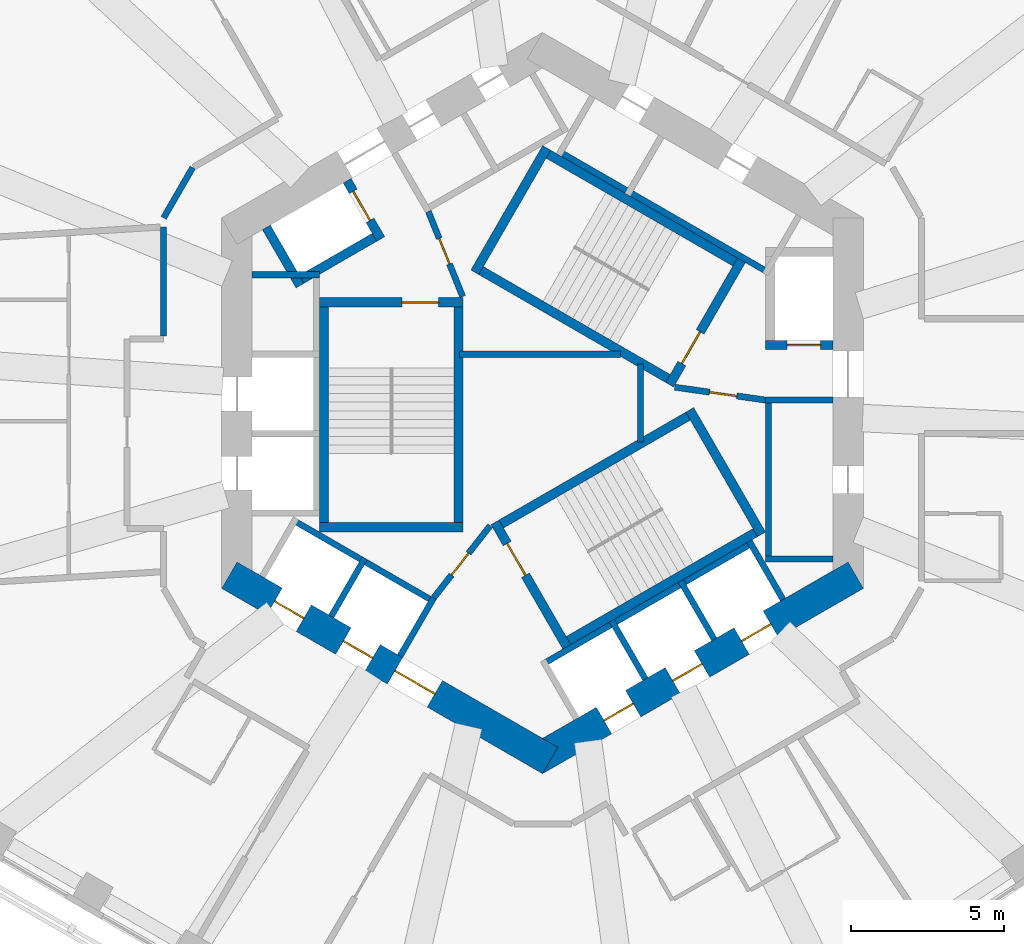
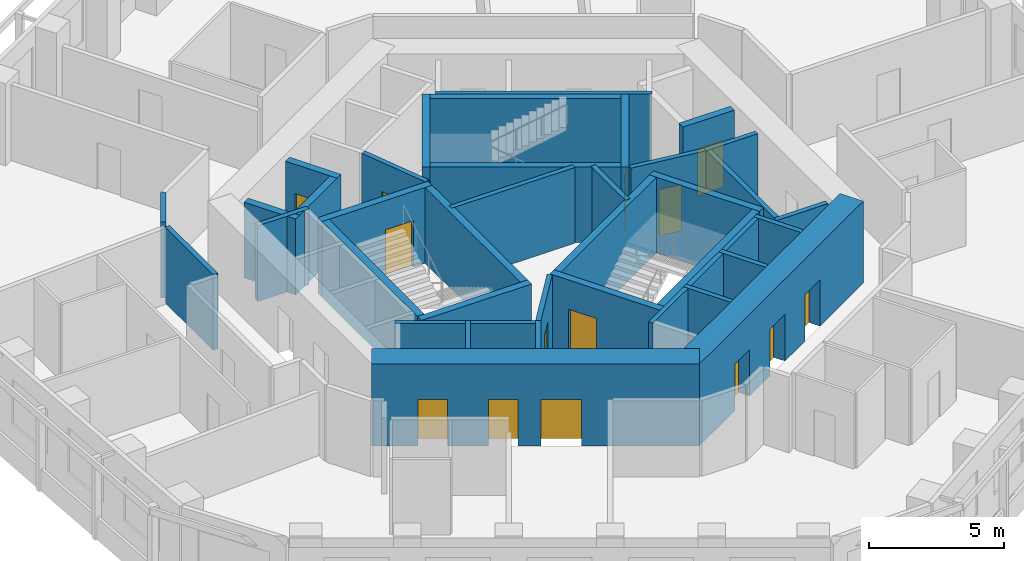
# One storey, part 5 of 11: 37 walls, 14 doors, 14 openings.
"""IFC4 building model written with IfcOpenShell, lengths in metres."""

from ifc_helpers import new_model, si_unit, direction, frame, frame_2d, origin, place, context, subcontext, project, spatial, rectangle, extrude, material, layer, layer_set, type_object, element, fill, save


model = new_model("IFC4")

# Units and contexts
model_context = context("Model", 3, precision=1e-05, world=origin(), true_north=direction((0.0, 1.0)))
body_context = subcontext(model_context, "Body", "Model", "MODEL_VIEW")
ifc_project = project(units=[si_unit("LENGTHUNIT", "METRE"), si_unit("AREAUNIT", "SQUARE_METRE"), si_unit("VOLUMEUNIT", "CUBIC_METRE"), si_unit("PLANEANGLEUNIT", "RADIAN"), si_unit("MASSUNIT", "GRAM", prefix="KILO")], contexts=[model_context])

# Site, building, storey
site_placement = place(None, origin())
site = spatial("IfcSite", under=ifc_project, at=site_placement, CompositionType="ELEMENT")
building_placement = place(site_placement, origin())
building = spatial("IfcBuilding", under=site, at=building_placement, Name="Vanh Sen Convention Tower", CompositionType="ELEMENT")
storey_placement = place(building_placement, frame((0.0, 0.0, 154.0)))
storey = spatial("IfcBuildingStorey", under=building, at=storey_placement, Name="L37", CompositionType="ELEMENT", Elevation=154.0)

# Wall, openings, doors
ifc_material_1 = material(Name="Concrete C80/95", Category="concrete")
ifc_layer_1 = layer(ifc_material_1, 1.0)
ifc_layer_set_1 = layer_set([ifc_layer_1], Name="Concrete C80/95")
wall_type_1 = type_object("IfcWallType", Name="Core outer wall 1000 C80/95", PredefinedType="SHEAR", material=ifc_layer_set_1)
wall_1_placement = place(storey_placement, frame((-10.25, -5.629150390625, 0.0), z_axis=(0.0, 0.0, 1.0), x_axis=(0.866022616891, -0.50000482701, 0.0)))
wall_1 = element("IfcWall", 1, at=wall_1_placement, inside=storey, type_object=wall_type_1, Name="Core wall face SW L37", PredefinedType="SHEAR", context=body_context, shape_type="SweptSolid", body=[
    extrude(rectangle(XDim=12.12451171875, YDim=1.0, at=frame_2d((6.062255859375, 0.0))), origin(), (0.0, 0.0, 1.0), 3.699951171875),
])
opening_1_placement = place(wall_1_placement, frame((6.26220703125, 0.0, 0.0)))
opening_1 = element("IfcOpeningElement", 2, at=opening_1_placement, cuts=wall_1, Name="Opening D35003", PredefinedType="OPENING", context=body_context, shape_type="SweptSolid", body=[
    extrude(rectangle(XDim=1.5, YDim=2.10009765625, at=frame_2d((0.75, 1.050048828125))), frame((0.0, 0.510009765625, 0.0), z_axis=(0.0, -1.0, 0.0), x_axis=(1.0, 0.0, 0.0)), (0.0, 0.0, 1.0), 1.02001953125),
])
opening_2_placement = place(wall_1_placement, frame((1.712158203125, 0.0, 0.0)))
opening_2 = element("IfcOpeningElement", 3, at=opening_2_placement, cuts=wall_1, Name="Opening LD-HR3", PredefinedType="OPENING", context=body_context, shape_type="SweptSolid", body=[
    extrude(rectangle(XDim=1.10009765625, YDim=2.10009765625, at=frame_2d((0.550048828125, 1.050048828125))), frame((0.0, 0.510009765625, 0.0), z_axis=(0.0, -1.0, 0.0), x_axis=(1.0, 0.0, 0.0)), (0.0, 0.0, 1.0), 1.02001953125),
])
opening_3_placement = place(wall_1_placement, frame((4.312255859375, 0.0, 0.0)))
opening_3 = element("IfcOpeningElement", 4, at=opening_3_placement, cuts=wall_1, Name="Opening LD-HR4", PredefinedType="OPENING", context=body_context, shape_type="SweptSolid", body=[
    extrude(rectangle(XDim=1.10009765625, YDim=2.10009765625, at=frame_2d((0.550048828125, 1.050048828125))), frame((0.0, 0.510009765625, 0.0), z_axis=(0.0, -1.0, 0.0), x_axis=(1.0, 0.0, 0.0)), (0.0, 0.0, 1.0), 1.02001953125),
])
ifc_material_2 = material(Name="Stainless steel", Category="steel")
door_type_1 = type_object("IfcDoorType", Name="Lift landing door 1100", OperationType="DOUBLE_DOOR_SLIDING", PredefinedType="DOOR", material=ifc_material_2)
door_1_placement = place(opening_2_placement, origin())
door_1 = element("IfcDoor", 5, at=door_1_placement, inside=storey, type_object=door_type_1, Name="Lift HR3 landing door LD-HR3", OperationType="DOUBLE_DOOR_SLIDING", OverallHeight=2.10009765625, OverallWidth=1.10009765625, PredefinedType="DOOR", context=body_context, shape_type="SweptSolid", body=[
    extrude(rectangle(XDim=1.10009765625, YDim=2.10009765625, at=frame_2d((0.550048828125, 1.050048828125))), frame((0.0, 0.02490234375, 0.0), z_axis=(0.0, -1.0, 0.0), x_axis=(1.0, 0.0, 0.0)), (0.0, 0.0, 1.0), 0.050048828125),
])
fill(opening_2, door_1)
door_2_placement = place(opening_3_placement, origin())
door_2 = element("IfcDoor", 6, at=door_2_placement, inside=storey, type_object=door_type_1, Name="Lift HR4 landing door LD-HR4", OperationType="DOUBLE_DOOR_SLIDING", OverallHeight=2.10009765625, OverallWidth=1.10009765625, PredefinedType="DOOR", context=body_context, shape_type="SweptSolid", body=[
    extrude(rectangle(XDim=1.10009765625, YDim=2.10009765625, at=frame_2d((0.550048828125, 1.050048828125))), frame((0.0, 0.02490234375, 0.0), z_axis=(0.0, -1.0, 0.0), x_axis=(1.0, 0.0, 0.0)), (0.0, 0.0, 1.0), 0.050048828125),
])
fill(opening_3, door_2)
ifc_material_3 = material(Name="Steel S355", Category="steel")
door_type_2 = type_object("IfcDoorType", Name="Stair lobby door 1500", OperationType="DOUBLE_DOOR_SINGLE_SWING", PredefinedType="DOOR", material=ifc_material_3)
door_3_placement = place(opening_1_placement, origin())
door_3 = element("IfcDoor", 7, at=door_3_placement, inside=storey, type_object=door_type_2, Name="Stair lobby door D35003", OperationType="DOUBLE_DOOR_SINGLE_SWING", OverallHeight=2.10009765625, OverallWidth=1.5, PredefinedType="DOOR", context=body_context, shape_type="SweptSolid", body=[
    extrude(rectangle(XDim=1.5, YDim=2.10009765625, at=frame_2d((0.75, 1.050048828125))), frame((0.0, 0.02490234375, 0.0), z_axis=(0.0, -1.0, 0.0), x_axis=(1.0, 0.0, 0.0)), (0.0, 0.0, 1.0), 0.050048828125),
])
fill(opening_1, door_3)

wall_2_placement = place(storey_placement, frame((-0.25, -11.69140625, 0.0), z_axis=(0.0, 0.0, 1.0), x_axis=(0.866022616891, 0.50000482701, 0.0)))
wall_2 = element("IfcWall", 8, at=wall_2_placement, inside=storey, type_object=wall_type_1, Name="Core wall face SE L37", PredefinedType="SHEAR", context=body_context, shape_type="SweptSolid", body=[
    extrude(rectangle(XDim=12.12451171875, YDim=1.0, at=frame_2d((6.062255859375, 0.0))), origin(), (0.0, 0.0, 1.0), 3.699951171875),
])
opening_4_placement = place(wall_2_placement, frame((2.6123046875, 0.0, 0.0)))
opening_4 = element("IfcOpeningElement", 9, at=opening_4_placement, cuts=wall_2, Name="Opening LD-HR5", PredefinedType="OPENING", context=body_context, shape_type="SweptSolid", body=[
    extrude(rectangle(XDim=1.10009765625, YDim=2.10009765625, at=frame_2d((0.550048828125, 1.050048828125))), frame((0.0, 0.510009765625, 0.0), z_axis=(0.0, -1.0, 0.0), x_axis=(1.0, 0.0, 0.0)), (0.0, 0.0, 1.0), 1.02001953125),
])
opening_5_placement = place(wall_2_placement, frame((5.212158203125, 0.0, 0.0)))
opening_5 = element("IfcOpeningElement", 10, at=opening_5_placement, cuts=wall_2, Name="Opening LD-HR6", PredefinedType="OPENING", context=body_context, shape_type="SweptSolid", body=[
    extrude(rectangle(XDim=1.10009765625, YDim=2.10009765625, at=frame_2d((0.550048828125, 1.050048828125))), frame((0.0, 0.510009765625, 0.0), z_axis=(0.0, -1.0, 0.0), x_axis=(1.0, 0.0, 0.0)), (0.0, 0.0, 1.0), 1.02001953125),
])
opening_6_placement = place(wall_2_placement, frame((7.812255859375, 0.0, 0.0)))
opening_6 = element("IfcOpeningElement", 11, at=opening_6_placement, cuts=wall_2, Name="Opening LD-SV1", PredefinedType="OPENING", context=body_context, shape_type="SweptSolid", body=[
    extrude(rectangle(XDim=1.10009765625, YDim=2.10009765625, at=frame_2d((0.550048828125, 1.050048828125))), frame((0.0, 0.510009765625, 0.0), z_axis=(0.0, -1.0, 0.0), x_axis=(1.0, 0.0, 0.0)), (0.0, 0.0, 1.0), 1.02001953125),
])
door_4_placement = place(opening_4_placement, origin())
door_4 = element("IfcDoor", 12, at=door_4_placement, inside=storey, type_object=door_type_1, Name="Lift HR5 landing door LD-HR5", OperationType="DOUBLE_DOOR_SLIDING", OverallHeight=2.10009765625, OverallWidth=1.10009765625, PredefinedType="DOOR", context=body_context, shape_type="SweptSolid", body=[
    extrude(rectangle(XDim=1.10009765625, YDim=2.10009765625, at=frame_2d((0.550048828125, 1.050048828125))), frame((0.0, 0.02490234375, 0.0), z_axis=(0.0, -1.0, 0.0), x_axis=(1.0, 0.0, 0.0)), (0.0, 0.0, 1.0), 0.050048828125),
])
fill(opening_4, door_4)
door_5_placement = place(opening_5_placement, origin())
door_5 = element("IfcDoor", 13, at=door_5_placement, inside=storey, type_object=door_type_1, Name="Lift HR6 landing door LD-HR6", OperationType="DOUBLE_DOOR_SLIDING", OverallHeight=2.10009765625, OverallWidth=1.10009765625, PredefinedType="DOOR", context=body_context, shape_type="SweptSolid", body=[
    extrude(rectangle(XDim=1.10009765625, YDim=2.10009765625, at=frame_2d((0.550048828125, 1.050048828125))), frame((0.0, 0.02490234375, 0.0), z_axis=(0.0, -1.0, 0.0), x_axis=(1.0, 0.0, 0.0)), (0.0, 0.0, 1.0), 0.050048828125),
])
fill(opening_5, door_5)
door_6_placement = place(opening_6_placement, origin())
door_6 = element("IfcDoor", 14, at=door_6_placement, inside=storey, type_object=door_type_1, Name="Lift SV1 landing door LD-SV1", OperationType="DOUBLE_DOOR_SLIDING", OverallHeight=2.10009765625, OverallWidth=1.10009765625, PredefinedType="DOOR", context=body_context, shape_type="SweptSolid", body=[
    extrude(rectangle(XDim=1.10009765625, YDim=2.10009765625, at=frame_2d((0.550048828125, 1.050048828125))), frame((0.0, 0.02490234375, 0.0), z_axis=(0.0, -1.0, 0.0), x_axis=(1.0, 0.0, 0.0)), (0.0, 0.0, 1.0), 0.050048828125),
])
fill(opening_6, door_6)

# Walls
ifc_material_4 = material(Name="Masonry blockwork", Category="masonry")
ifc_layer_2 = layer(ifc_material_4, 0.199951171875)
ifc_layer_set_2 = layer_set([ifc_layer_2], Name="Masonry blockwork")
wall_type_2 = type_object("IfcWallType", Name="Core partition 200", PredefinedType="PARTITIONING", material=ifc_layer_set_2)
wall_3_placement = place(storey_placement, frame((-2.719970703125, 1.60009765625, 0.0), z_axis=(0.0, 0.0, 1.0), x_axis=(1.0, 0.0, 0.0)))
element("IfcWall", 15, at=wall_3_placement, inside=storey, type_object=wall_type_2, Name="Core partition L37", PredefinedType="PARTITIONING", context=body_context, shape_type="SweptSolid", body=[
    extrude(rectangle(XDim=5.2685546875, YDim=0.199951171875, at=frame_2d((2.63427734375, 0.0))), origin(), (0.0, 0.0, 1.0), 3.419921875),
])
wall_4_placement = place(storey_placement, frame((3.199951171875, -1.274658203125, 0.0), z_axis=(0.0, 0.0, 1.0), x_axis=(0.0, 1.0, 0.0)))
element("IfcWall", 16, at=wall_4_placement, inside=storey, type_object=wall_type_2, Name="Core partition L37", PredefinedType="PARTITIONING", context=body_context, shape_type="SweptSolid", body=[
    extrude(rectangle(XDim=2.54931640625, YDim=0.199951171875, at=frame_2d((1.274658203125, 0.0))), origin(), (0.0, 0.0, 1.0), 3.419921875),
])
ifc_material_5 = material(Name="Gypsum board on steel studs with mineral wool", Category="steel")
ifc_layer_3 = layer(ifc_material_5, 0.199951171875)
ifc_layer_set_3 = layer_set([ifc_layer_3], Name="Gypsum board on steel studs with mineral wool")
wall_type_3 = type_object("IfcWallType", Name="Corridor partition wall 200", PredefinedType="PARTITIONING", material=ifc_layer_set_3)
wall_5_placement = place(storey_placement, frame((-12.39990234375, 5.769287109375, 0.0), z_axis=(0.0, 0.0, 1.0), x_axis=(0.0, -1.0, 0.0)))
element("IfcWall", 17, at=wall_5_placement, inside=storey, type_object=wall_type_3, Name="Corridor partition wall 200", PredefinedType="PARTITIONING", context=body_context, shape_type="SweptSolid", body=[
    extrude(rectangle(XDim=3.568359375, YDim=0.199951171875, at=frame_2d((1.7841796875, 0.0))), origin(), (0.0, 0.0, 1.0), 3.419921875),
])
wall_6_placement = place(storey_placement, frame((-11.449951171875, 7.70751953125, 0.0), z_axis=(0.0, 0.0, 1.0), x_axis=(-0.500022797313, -0.86601224135, 0.0)))
element("IfcWall", 18, at=wall_6_placement, inside=storey, type_object=wall_type_3, Name="Corridor partition wall 200", PredefinedType="PARTITIONING", context=body_context, shape_type="SweptSolid", body=[
    extrude(rectangle(XDim=1.89990234375, YDim=0.199951171875, at=frame_2d((0.949951171875, 0.0))), origin(), (0.0, 0.0, 1.0), 3.419921875),
])

# Wall, opening, door
ifc_material_6 = material(Name="Concrete C60/75", Category="concrete")
ifc_layer_4 = layer(ifc_material_6, 0.300048828125)
ifc_layer_set_4 = layer_set([ifc_layer_4], Name="Concrete C60/75")
wall_type_4 = type_object("IfcWallType", Name="Fire-fighting lift shaft wall 300", PredefinedType="SHEAR", material=ifc_layer_set_4)
wall_7_placement = place(storey_placement, frame((7.300048828125, 1.89990234375, 0.0), z_axis=(0.0, 0.0, 1.0), x_axis=(1.0, 0.0, 0.0)))
wall_7 = element("IfcWall", 19, at=wall_7_placement, inside=storey, type_object=wall_type_4, Name="Fire-fighting lift shaft wall L37", PredefinedType="SHEAR", context=body_context, shape_type="SweptSolid", body=[
    extrude(rectangle(XDim=2.199951171875, YDim=0.300048828125, at=frame_2d((1.10009765625, 0.0))), origin(), (0.0, 0.0, 1.0), 3.419921875),
])
opening_7_placement = place(wall_7_placement, frame((0.699951171875, 0.0, 0.0)))
opening_7 = element("IfcOpeningElement", 20, at=opening_7_placement, cuts=wall_7, Name="Opening LD-FF1", PredefinedType="OPENING", context=body_context, shape_type="SweptSolid", body=[
    extrude(rectangle(XDim=1.10009765625, YDim=2.10009765625, at=frame_2d((0.550048828125, 1.050048828125))), frame((0.0, 0.159912109375, 0.0), z_axis=(0.0, -1.0, 0.0), x_axis=(1.0, 0.0, 0.0)), (0.0, 0.0, 1.0), 0.320068359375),
])
door_type_3 = type_object("IfcDoorType", Name="Fire-fighting lift landing door 1100", OperationType="DOUBLE_DOOR_SLIDING", PredefinedType="DOOR", material=ifc_material_2)
door_7_placement = place(opening_7_placement, origin())
door_7 = element("IfcDoor", 21, at=door_7_placement, inside=storey, type_object=door_type_3, Name="Lift FF1 landing door LD-FF1", OperationType="DOUBLE_DOOR_SLIDING", OverallHeight=2.10009765625, OverallWidth=1.10009765625, PredefinedType="DOOR", context=body_context, shape_type="SweptSolid", body=[
    extrude(rectangle(XDim=1.10009765625, YDim=2.10009765625, at=frame_2d((0.550048828125, 1.050048828125))), frame((0.0, 0.02490234375, 0.0), z_axis=(0.0, -1.0, 0.0), x_axis=(1.0, 0.0, 0.0)), (0.0, 0.0, 1.0), 0.050048828125),
])
fill(opening_7, door_7)

wall_8_placement = place(storey_placement, frame((-5.29541015625, 5.3720703125, 0.0), z_axis=(0.0, 0.0, 1.0), x_axis=(-0.500077893725, 0.86598042715, 0.0)))
wall_8 = element("IfcWall", 22, at=wall_8_placement, inside=storey, type_object=wall_type_4, Name="Fire-fighting lift shaft wall L37", PredefinedType="SHEAR", context=body_context, shape_type="SweptSolid", body=[
    extrude(rectangle(XDim=2.199951171875, YDim=0.300048828125, at=frame_2d((1.10009765625, 0.0))), origin(), (0.0, 0.0, 1.0), 3.419921875),
])
opening_8_placement = place(wall_8_placement, frame((0.699951171875, 0.0, 0.0)))
opening_8 = element("IfcOpeningElement", 23, at=opening_8_placement, cuts=wall_8, Name="Opening LD-FF2", PredefinedType="OPENING", context=body_context, shape_type="SweptSolid", body=[
    extrude(rectangle(XDim=1.10009765625, YDim=2.10009765625, at=frame_2d((0.550048828125, 1.050048828125))), frame((0.0, 0.159912109375, 0.0), z_axis=(0.0, -1.0, 0.0), x_axis=(1.0, 0.0, 0.0)), (0.0, 0.0, 1.0), 0.320068359375),
])
door_8_placement = place(opening_8_placement, origin())
door_8 = element("IfcDoor", 24, at=door_8_placement, inside=storey, type_object=door_type_3, Name="Lift FF2 landing door LD-FF2", OperationType="DOUBLE_DOOR_SLIDING", OverallHeight=2.10009765625, OverallWidth=1.10009765625, PredefinedType="DOOR", context=body_context, shape_type="SweptSolid", body=[
    extrude(rectangle(XDim=1.10009765625, YDim=2.10009765625, at=frame_2d((0.550048828125, 1.050048828125))), frame((0.0, 0.02490234375, 0.0), z_axis=(0.0, -1.0, 0.0), x_axis=(1.0, 0.0, 0.0)), (0.0, 0.0, 1.0), 0.050048828125),
])
fill(opening_8, door_8)

# Walls
wall_9_placement = place(storey_placement, frame((-5.240478515625, 5.576904296875, 0.0), z_axis=(0.0, 0.0, 1.0), x_axis=(-0.866014461049, -0.500018952895, 0.0)))
element("IfcWall", 25, at=wall_9_placement, inside=storey, type_object=wall_type_4, Name="Fire-fighting lift shaft wall L37", PredefinedType="SHEAR", context=body_context, shape_type="SweptSolid", body=[
    extrude(rectangle(XDim=3.349853515625, YDim=0.300048828125, at=frame_2d((1.6748046875, 0.0))), origin(), (0.0, 0.0, 1.0), 3.419921875),
])
wall_10_placement = place(storey_placement, frame((-7.936767578125, 3.846923828125, 0.0), z_axis=(0.0, 0.0, 1.0), x_axis=(-0.50002983664, 0.866008176907, 0.0)))
element("IfcWall", 26, at=wall_10_placement, inside=storey, type_object=wall_type_4, Name="Fire-fighting lift shaft wall L37", PredefinedType="SHEAR", context=body_context, shape_type="SweptSolid", body=[
    extrude(rectangle(XDim=2.199951171875, YDim=0.300048828125, at=frame_2d((1.10009765625, 0.0))), origin(), (0.0, 0.0, 1.0), 3.419921875),
])
ifc_material_7 = material(Name="Concrete C40/50", Category="concrete")
ifc_layer_5 = layer(ifc_material_7, 0.199951171875)
ifc_layer_set_5 = layer_set([ifc_layer_5], Name="Concrete C40/50")
wall_type_5 = type_object("IfcWallType", Name="Lift shaft wall 200", PredefinedType="PARTITIONING", material=ifc_layer_set_5)
wall_11_placement = place(storey_placement, frame((7.39990234375, -5.199951171875, 0.0), z_axis=(0.0, 0.0, 1.0), x_axis=(0.0, 1.0, 0.0)))
element("IfcWall", 27, at=wall_11_placement, inside=storey, type_object=wall_type_5, Name="Lift shaft wall L37", PredefinedType="PARTITIONING", context=body_context, shape_type="SweptSolid", body=[
    extrude(rectangle(XDim=5.39990234375, YDim=0.199951171875, at=frame_2d((2.699951171875, 0.0))), origin(), (0.0, 0.0, 1.0), 3.419921875),
])
for number, where, z_axis, x_axis, name in (
    (28, (7.300048828125, -5.10009765625, 0.0), (0.0, 0.0, 1.0), (1.0, 0.0, 0.0), "Lift shaft wall L37"),
    (29, (7.300048828125, 0.10009765625, 0.0), (0.0, 0.0, 1.0), (1.0, 0.0, 0.0), "Lift shaft wall L37"),
):
    element("IfcWall", number, at=place(storey_placement, frame(where, z_axis=z_axis, x_axis=x_axis)), inside=storey, type_object=wall_type_5, Name=name, PredefinedType="PARTITIONING", context=body_context, shape_type="SweptSolid", body=[
        extrude(rectangle(XDim=2.199951171875, YDim=0.199951171875, at=frame_2d((1.10009765625, 0.0))), origin(), (0.0, 0.0, 1.0), 3.419921875),
    ])
wall_12_placement = place(storey_placement, frame((7.423828125, 4.258544921875, 0.0), z_axis=(0.0, 0.0, 1.0), x_axis=(-0.866026010844, 0.49999894854, 0.0)))
element("IfcWall", 30, at=wall_12_placement, inside=storey, type_object=wall_type_5, Name="Lift shaft wall L37", PredefinedType="PARTITIONING", context=body_context, shape_type="SweptSolid", body=[
    extrude(rectangle(XDim=8.0, YDim=0.199951171875, at=frame_2d((4.0, 0.0))), origin(), (0.0, 0.0, 1.0), 3.419921875),
])
wall_13_placement = place(storey_placement, frame((-7.300048828125, 4.199951171875, 0.0), z_axis=(0.0, 0.0, 1.0), x_axis=(-1.0, 0.0, 0.0)))
element("IfcWall", 31, at=wall_13_placement, inside=storey, type_object=wall_type_5, Name="Lift shaft wall L37", PredefinedType="PARTITIONING", context=body_context, shape_type="SweptSolid", body=[
    extrude(rectangle(XDim=2.199951171875, YDim=0.199951171875, at=frame_2d((1.10009765625, 0.0))), origin(), (0.0, 0.0, 1.0), 3.419921875),
])
wall_14_placement = place(storey_placement, frame((-8.203369140625, -3.80859375, 0.0), z_axis=(0.0, 0.0, 1.0), x_axis=(0.866028230842, -0.499995103361, 0.0)))
element("IfcWall", 32, at=wall_14_placement, inside=storey, type_object=wall_type_5, Name="Lift shaft wall L37", PredefinedType="PARTITIONING", context=body_context, shape_type="SweptSolid", body=[
    extrude(rectangle(XDim=5.39990234375, YDim=0.199951171875, at=frame_2d((2.699951171875, 0.0))), origin(), (0.0, 0.0, 1.0), 3.419921875),
])
wall_15_placement = place(storey_placement, frame((-5.815185546875, -5.072021484375, 0.0), z_axis=(0.0, 0.0, 1.0), x_axis=(-0.499946605688, -0.86605622881, 0.0)))
element("IfcWall", 33, at=wall_15_placement, inside=storey, type_object=wall_type_5, Name="Lift shaft wall L37", PredefinedType="PARTITIONING", context=body_context, shape_type="SweptSolid", body=[
    extrude(rectangle(XDim=2.199951171875, YDim=0.199951171875, at=frame_2d((1.10009765625, 0.0))), origin(), (0.0, 0.0, 1.0), 3.419921875),
])
wall_16_placement = place(storey_placement, frame((-3.5634765625, -6.3720703125, 0.0), z_axis=(0.0, 0.0, 1.0), x_axis=(-0.499994660107, -0.866028486751, 0.0)))
element("IfcWall", 34, at=wall_16_placement, inside=storey, type_object=wall_type_5, Name="Lift shaft wall L37", PredefinedType="PARTITIONING", context=body_context, shape_type="SweptSolid", body=[
    extrude(rectangle(XDim=2.19970703125, YDim=0.199951171875, at=frame_2d((1.099853515625, 0.0))), origin(), (0.0, 0.0, 1.0), 3.419921875),
])
wall_17_placement = place(storey_placement, frame((-0.02392578125, -8.55859375, 0.0), z_axis=(0.0, 0.0, 1.0), x_axis=(0.866026010844, 0.49999894854, 0.0)))
element("IfcWall", 35, at=wall_17_placement, inside=storey, type_object=wall_type_5, Name="Lift shaft wall L37", PredefinedType="PARTITIONING", context=body_context, shape_type="SweptSolid", body=[
    extrude(rectangle(XDim=8.0, YDim=0.199951171875, at=frame_2d((4.0, 0.0))), origin(), (0.0, 0.0, 1.0), 3.419921875),
])
for number, where, z_axis, x_axis, name in (
    (36, (2.264404296875, -7.1220703125, 0.0), (0.0, 0.0, 1.0), (0.500077893725, -0.86598042715, 0.0), "Lift shaft wall L37"),
    (37, (4.51611328125, -5.822021484375, 0.0), (0.0, 0.0, 1.0), (0.499946605688, -0.86605622881, 0.0), "Lift shaft wall L37"),
    (38, (6.767578125, -4.52197265625, 0.0), (0.0, 0.0, 1.0), (0.50002983664, -0.866008176907, 0.0), "Lift shaft wall L37"),
):
    element("IfcWall", number, at=place(storey_placement, frame(where, z_axis=z_axis, x_axis=x_axis)), inside=storey, type_object=wall_type_5, Name=name, PredefinedType="PARTITIONING", context=body_context, shape_type="SweptSolid", body=[
        extrude(rectangle(XDim=2.199951171875, YDim=0.199951171875, at=frame_2d((1.10009765625, 0.0))), origin(), (0.0, 0.0, 1.0), 3.419921875),
    ])

# Wall, opening, door
ifc_layer_6 = layer(ifc_material_7, 0.199951171875)
ifc_layer_set_6 = layer_set([ifc_layer_6], Name="Concrete C40/50")
wall_type_6 = type_object("IfcWallType", Name="Stair lobby wall 200", PredefinedType="PARTITIONING", material=ifc_layer_set_6)
wall_18_placement = place(storey_placement, frame((4.327392578125, 0.52099609375, 0.0), z_axis=(0.0, 0.0, 1.0), x_axis=(0.990124376366, -0.14019172346, 0.0)))
wall_18 = element("IfcWall", 39, at=wall_18_placement, inside=storey, type_object=wall_type_6, Name="Stair lobby wall L37", PredefinedType="PARTITIONING", context=body_context, shape_type="SweptSolid", body=[
    extrude(rectangle(XDim=3.002197265625, YDim=0.199951171875, at=frame_2d((1.5009765625, 0.0))), origin(), (0.0, 0.0, 1.0), 3.419921875),
])
opening_9_placement = place(wall_18_placement, frame((1.14990234375, 0.0, 0.0)))
opening_9 = element("IfcOpeningElement", 40, at=opening_9_placement, cuts=wall_18, Name="Opening D35007", PredefinedType="OPENING", context=body_context, shape_type="SweptSolid", body=[
    extrude(rectangle(XDim=0.89990234375, YDim=2.10009765625, at=frame_2d((0.449951171875, 1.050048828125))), frame((0.0, 0.10986328125, 0.0), z_axis=(0.0, -1.0, 0.0), x_axis=(1.0, 0.0, 0.0)), (0.0, 0.0, 1.0), 0.219970703125),
])
door_type_4 = type_object("IfcDoorType", Name="Plant door 900", OperationType="SINGLE_SWING_LEFT", PredefinedType="DOOR", material=ifc_material_3)
door_9_placement = place(opening_9_placement, origin())
door_9 = element("IfcDoor", 41, at=door_9_placement, inside=storey, type_object=door_type_4, Name="Plant door D35007", OperationType="SINGLE_SWING_LEFT", OverallHeight=2.10009765625, OverallWidth=0.89990234375, PredefinedType="DOOR", context=body_context, shape_type="SweptSolid", body=[
    extrude(rectangle(XDim=0.89990234375, YDim=2.10009765625, at=frame_2d((0.449951171875, 1.050048828125))), frame((0.0, 0.02490234375, 0.0), z_axis=(0.0, -1.0, 0.0), x_axis=(1.0, 0.0, 0.0)), (0.0, 0.0, 1.0), 0.050048828125),
])
fill(opening_9, door_9)

wall_19_placement = place(storey_placement, frame((-2.614990234375, 3.487060546875, 0.0), z_axis=(0.0, 0.0, 1.0), x_axis=(-0.373576831041, 0.92759924068, 0.0)))
wall_19 = element("IfcWall", 42, at=wall_19_placement, inside=storey, type_object=wall_type_6, Name="Stair lobby wall L37", PredefinedType="PARTITIONING", context=body_context, shape_type="SweptSolid", body=[
    extrude(rectangle(XDim=3.002197265625, YDim=0.199951171875, at=frame_2d((1.5009765625, 0.0))), origin(), (0.0, 0.0, 1.0), 3.419921875),
])
opening_10_placement = place(wall_19_placement, frame((1.14990234375, 0.0, 0.0)))
opening_10 = element("IfcOpeningElement", 43, at=opening_10_placement, cuts=wall_19, Name="Opening D35008", PredefinedType="OPENING", context=body_context, shape_type="SweptSolid", body=[
    extrude(rectangle(XDim=0.89990234375, YDim=2.10009765625, at=frame_2d((0.449951171875, 1.050048828125))), frame((0.0, 0.10986328125, 0.0), z_axis=(0.0, -1.0, 0.0), x_axis=(1.0, 0.0, 0.0)), (0.0, 0.0, 1.0), 0.219970703125),
])
door_10_placement = place(opening_10_placement, origin())
door_10 = element("IfcDoor", 44, at=door_10_placement, inside=storey, type_object=door_type_4, Name="Plant door D35008", OperationType="SINGLE_SWING_LEFT", OverallHeight=2.10009765625, OverallWidth=0.89990234375, PredefinedType="DOOR", context=body_context, shape_type="SweptSolid", body=[
    extrude(rectangle(XDim=0.89990234375, YDim=2.10009765625, at=frame_2d((0.449951171875, 1.050048828125))), frame((0.0, 0.02490234375, 0.0), z_axis=(0.0, -1.0, 0.0), x_axis=(1.0, 0.0, 0.0)), (0.0, 0.0, 1.0), 0.050048828125),
])
fill(opening_10, door_10)

wall_20_placement = place(storey_placement, frame((-1.71240234375, -4.00830078125, 0.0), z_axis=(0.0, 0.0, 1.0), x_axis=(-0.616549420702, -0.787316208287, 0.0)))
wall_20 = element("IfcWall", 45, at=wall_20_placement, inside=storey, type_object=wall_type_6, Name="Stair lobby wall L37", PredefinedType="PARTITIONING", context=body_context, shape_type="SweptSolid", body=[
    extrude(rectangle(XDim=3.002197265625, YDim=0.199951171875, at=frame_2d((1.5009765625, 0.0))), origin(), (0.0, 0.0, 1.0), 3.419921875),
])
opening_11_placement = place(wall_20_placement, frame((1.14990234375, 0.0, 0.0)))
opening_11 = element("IfcOpeningElement", 46, at=opening_11_placement, cuts=wall_20, Name="Opening D35009", PredefinedType="OPENING", context=body_context, shape_type="SweptSolid", body=[
    extrude(rectangle(XDim=0.89990234375, YDim=2.10009765625, at=frame_2d((0.449951171875, 1.050048828125))), frame((0.0, 0.10986328125, 0.0), z_axis=(0.0, -1.0, 0.0), x_axis=(1.0, 0.0, 0.0)), (0.0, 0.0, 1.0), 0.219970703125),
])
door_11_placement = place(opening_11_placement, origin())
door_11 = element("IfcDoor", 47, at=door_11_placement, inside=storey, type_object=door_type_4, Name="Plant door D35009", OperationType="SINGLE_SWING_LEFT", OverallHeight=2.10009765625, OverallWidth=0.89990234375, PredefinedType="DOOR", context=body_context, shape_type="SweptSolid", body=[
    extrude(rectangle(XDim=0.89990234375, YDim=2.10009765625, at=frame_2d((0.449951171875, 1.050048828125))), frame((0.0, 0.02490234375, 0.0), z_axis=(0.0, -1.0, 0.0), x_axis=(1.0, 0.0, 0.0)), (0.0, 0.0, 1.0), 0.050048828125),
])
fill(opening_11, door_11)

ifc_layer_7 = layer(ifc_material_6, 0.300048828125)
ifc_layer_set_7 = layer_set([ifc_layer_7], Name="Concrete C60/75")
wall_type_7 = type_object("IfcWallType", Name="Stair wall 300", PredefinedType="SHEAR", material=ifc_layer_set_7)
wall_21_placement = place(storey_placement, frame((4.157958984375, 0.601806640625, 0.0), z_axis=(0.0, 0.0, 1.0), x_axis=(0.499977259774, 0.866038532462, 0.0)))
wall_21 = element("IfcWall", 48, at=wall_21_placement, inside=storey, type_object=wall_type_7, Name="Stair wall L37", PredefinedType="SHEAR", context=body_context, shape_type="SweptSolid", body=[
    extrude(rectangle(XDim=4.699951171875, YDim=0.300048828125, at=frame_2d((2.35009765625, 0.0))), origin(), (0.0, 0.0, 1.0), 3.419921875),
])
opening_12_placement = place(wall_21_placement, frame((0.800048828125, 0.0, 0.0)))
opening_12 = element("IfcOpeningElement", 49, at=opening_12_placement, cuts=wall_21, Name="Opening D35004", PredefinedType="OPENING", context=body_context, shape_type="SweptSolid", body=[
    extrude(rectangle(XDim=1.199951171875, YDim=2.10009765625, at=frame_2d((0.60009765625, 1.050048828125))), frame((0.0, 0.159912109375, 0.0), z_axis=(0.0, -1.0, 0.0), x_axis=(1.0, 0.0, 0.0)), (0.0, 0.0, 1.0), 0.320068359375),
])
door_type_5 = type_object("IfcDoorType", Name="Stair door 1200", OperationType="SINGLE_SWING_RIGHT", PredefinedType="DOOR", material=ifc_material_3)
door_12_placement = place(opening_12_placement, origin())
door_12 = element("IfcDoor", 50, at=door_12_placement, inside=storey, type_object=door_type_5, Name="Stair ST1 door D35004", OperationType="SINGLE_SWING_RIGHT", OverallHeight=2.10009765625, OverallWidth=1.199951171875, PredefinedType="DOOR", context=body_context, shape_type="SweptSolid", body=[
    extrude(rectangle(XDim=1.199951171875, YDim=2.10009765625, at=frame_2d((0.60009765625, 1.050048828125))), frame((0.0, 0.02490234375, 0.0), z_axis=(0.0, -1.0, 0.0), x_axis=(1.0, 0.0, 0.0)), (0.0, 0.0, 1.0), 0.050048828125),
])
fill(opening_12, door_12)

# Walls
wall_22_placement = place(storey_placement, frame((-2.216064453125, 4.28173828125, 0.0), z_axis=(0.0, 0.0, 1.0), x_axis=(0.499977259774, 0.866038532462, 0.0)))
element("IfcWall", 51, at=wall_22_placement, inside=storey, type_object=wall_type_7, Name="Stair wall L37", PredefinedType="SHEAR", context=body_context, shape_type="SweptSolid", body=[
    extrude(rectangle(XDim=4.699951171875, YDim=0.300048828125, at=frame_2d((2.35009765625, 0.0))), origin(), (0.0, 0.0, 1.0), 3.419921875),
])
for number, where, z_axis, x_axis, name in (
    (52, (4.10302734375, 0.806640625, 0.0), (0.0, 0.0, 1.0), (-0.866027801685, 0.499995846692, 0.0), "Stair wall L37"),
    (53, (6.302978515625, 4.6171875, 0.0), (0.0, 0.0, 1.0), (-0.866027801685, 0.499995846692, 0.0), "Stair wall L37"),
):
    element("IfcWall", number, at=place(storey_placement, frame(where, z_axis=z_axis, x_axis=x_axis)), inside=storey, type_object=wall_type_7, Name=name, PredefinedType="SHEAR", context=body_context, shape_type="SweptSolid", body=[
        extrude(rectangle(XDim=7.06005859375, YDim=0.300048828125, at=frame_2d((3.530029296875, 0.0))), origin(), (0.0, 0.0, 1.0), 3.419921875),
    ])

# Wall, opening, door
wall_23_placement = place(storey_placement, frame((-2.60009765625, 3.300048828125, 0.0), z_axis=(0.0, 0.0, 1.0), x_axis=(-1.0, 0.0, 0.0)))
wall_23 = element("IfcWall", 54, at=wall_23_placement, inside=storey, type_object=wall_type_7, Name="Stair wall L37", PredefinedType="SHEAR", context=body_context, shape_type="SweptSolid", body=[
    extrude(rectangle(XDim=4.699951171875, YDim=0.300048828125, at=frame_2d((2.35009765625, 0.0))), origin(), (0.0, 0.0, 1.0), 3.419921875),
])
opening_13_placement = place(wall_23_placement, frame((0.800048828125, 0.0, 0.0)))
opening_13 = element("IfcOpeningElement", 55, at=opening_13_placement, cuts=wall_23, Name="Opening D35005", PredefinedType="OPENING", context=body_context, shape_type="SweptSolid", body=[
    extrude(rectangle(XDim=1.199951171875, YDim=2.10009765625, at=frame_2d((0.60009765625, 1.050048828125))), frame((0.0, 0.159912109375, 0.0), z_axis=(0.0, -1.0, 0.0), x_axis=(1.0, 0.0, 0.0)), (0.0, 0.0, 1.0), 0.320068359375),
])
door_13_placement = place(opening_13_placement, origin())
door_13 = element("IfcDoor", 56, at=door_13_placement, inside=storey, type_object=door_type_5, Name="Stair ST2 door D35005", OperationType="SINGLE_SWING_RIGHT", OverallHeight=2.10009765625, OverallWidth=1.199951171875, PredefinedType="DOOR", context=body_context, shape_type="SweptSolid", body=[
    extrude(rectangle(XDim=1.199951171875, YDim=2.10009765625, at=frame_2d((0.60009765625, 1.050048828125))), frame((0.0, 0.02490234375, 0.0), z_axis=(0.0, -1.0, 0.0), x_axis=(1.0, 0.0, 0.0)), (0.0, 0.0, 1.0), 0.050048828125),
])
fill(opening_13, door_13)

# Walls
wall_24_placement = place(storey_placement, frame((-2.60009765625, -4.06005859375, 0.0), z_axis=(0.0, 0.0, 1.0), x_axis=(-1.0, 0.0, 0.0)))
element("IfcWall", 57, at=wall_24_placement, inside=storey, type_object=wall_type_7, Name="Stair wall L37", PredefinedType="SHEAR", context=body_context, shape_type="SweptSolid", body=[
    extrude(rectangle(XDim=4.699951171875, YDim=0.300048828125, at=frame_2d((2.35009765625, 0.0))), origin(), (0.0, 0.0, 1.0), 3.419921875),
])
for number, where, z_axis, x_axis, name in (
    (58, (-2.75, 3.14990234375, 0.0), (0.0, 0.0, 1.0), (0.0, -1.0, 0.0), "Stair wall L37"),
    (59, (-7.14990234375, 3.14990234375, 0.0), (0.0, 0.0, 1.0), (0.0, -1.0, 0.0), "Stair wall L37"),
):
    element("IfcWall", number, at=place(storey_placement, frame(where, z_axis=z_axis, x_axis=x_axis)), inside=storey, type_object=wall_type_7, Name=name, PredefinedType="SHEAR", context=body_context, shape_type="SweptSolid", body=[
        extrude(rectangle(XDim=7.059814453125, YDim=0.300048828125, at=frame_2d((3.52978515625, 0.0))), origin(), (0.0, 0.0, 1.0), 3.419921875),
    ])

# Wall, opening, door
wall_25_placement = place(storey_placement, frame((-1.557861328125, -3.901611328125, 0.0), z_axis=(0.0, 0.0, 1.0), x_axis=(0.499977259774, -0.866038532462, 0.0)))
wall_25 = element("IfcWall", 60, at=wall_25_placement, inside=storey, type_object=wall_type_7, Name="Stair wall L37", PredefinedType="SHEAR", context=body_context, shape_type="SweptSolid", body=[
    extrude(rectangle(XDim=4.699951171875, YDim=0.300048828125, at=frame_2d((2.35009765625, 0.0))), origin(), (0.0, 0.0, 1.0), 3.419921875),
])
opening_14_placement = place(wall_25_placement, frame((0.800048828125, 0.0, 0.0)))
opening_14 = element("IfcOpeningElement", 61, at=opening_14_placement, cuts=wall_25, Name="Opening D35006", PredefinedType="OPENING", context=body_context, shape_type="SweptSolid", body=[
    extrude(rectangle(XDim=1.199951171875, YDim=2.10009765625, at=frame_2d((0.60009765625, 1.050048828125))), frame((0.0, 0.159912109375, 0.0), z_axis=(0.0, -1.0, 0.0), x_axis=(1.0, 0.0, 0.0)), (0.0, 0.0, 1.0), 0.320068359375),
])
door_14_placement = place(opening_14_placement, origin())
door_14 = element("IfcDoor", 62, at=door_14_placement, inside=storey, type_object=door_type_5, Name="Stair ST3 door D35006", OperationType="SINGLE_SWING_RIGHT", OverallHeight=2.10009765625, OverallWidth=1.199951171875, PredefinedType="DOOR", context=body_context, shape_type="SweptSolid", body=[
    extrude(rectangle(XDim=1.199951171875, YDim=2.10009765625, at=frame_2d((0.60009765625, 1.050048828125))), frame((0.0, 0.02490234375, 0.0), z_axis=(0.0, -1.0, 0.0), x_axis=(1.0, 0.0, 0.0)), (0.0, 0.0, 1.0), 0.050048828125),
])
fill(opening_14, door_14)

# Walls
wall_26_placement = place(storey_placement, frame((4.816162109375, -0.2216796875, 0.0), z_axis=(0.0, 0.0, 1.0), x_axis=(0.499977259774, -0.866038532462, 0.0)))
element("IfcWall", 63, at=wall_26_placement, inside=storey, type_object=wall_type_7, Name="Stair wall L37", PredefinedType="SHEAR", context=body_context, shape_type="SweptSolid", body=[
    extrude(rectangle(XDim=4.699951171875, YDim=0.300048828125, at=frame_2d((2.35009765625, 0.0))), origin(), (0.0, 0.0, 1.0), 3.419921875),
])
for number, where, z_axis, x_axis, name in (
    (64, (-1.35302734375, -3.95654296875, 0.0), (0.0, 0.0, 1.0), (0.866027801685, 0.499995846692, 0.0), "Stair wall L37"),
    (65, (0.846923828125, -7.76708984375, 0.0), (0.0, 0.0, 1.0), (0.866027801685, 0.499995846692, 0.0), "Stair wall L37"),
):
    element("IfcWall", number, at=place(storey_placement, frame(where, z_axis=z_axis, x_axis=x_axis)), inside=storey, type_object=wall_type_7, Name=name, PredefinedType="SHEAR", context=body_context, shape_type="SweptSolid", body=[
        extrude(rectangle(XDim=7.06005859375, YDim=0.300048828125, at=frame_2d((3.530029296875, 0.0))), origin(), (0.0, 0.0, 1.0), 3.419921875),
    ])

save(model, "model.ifc")
